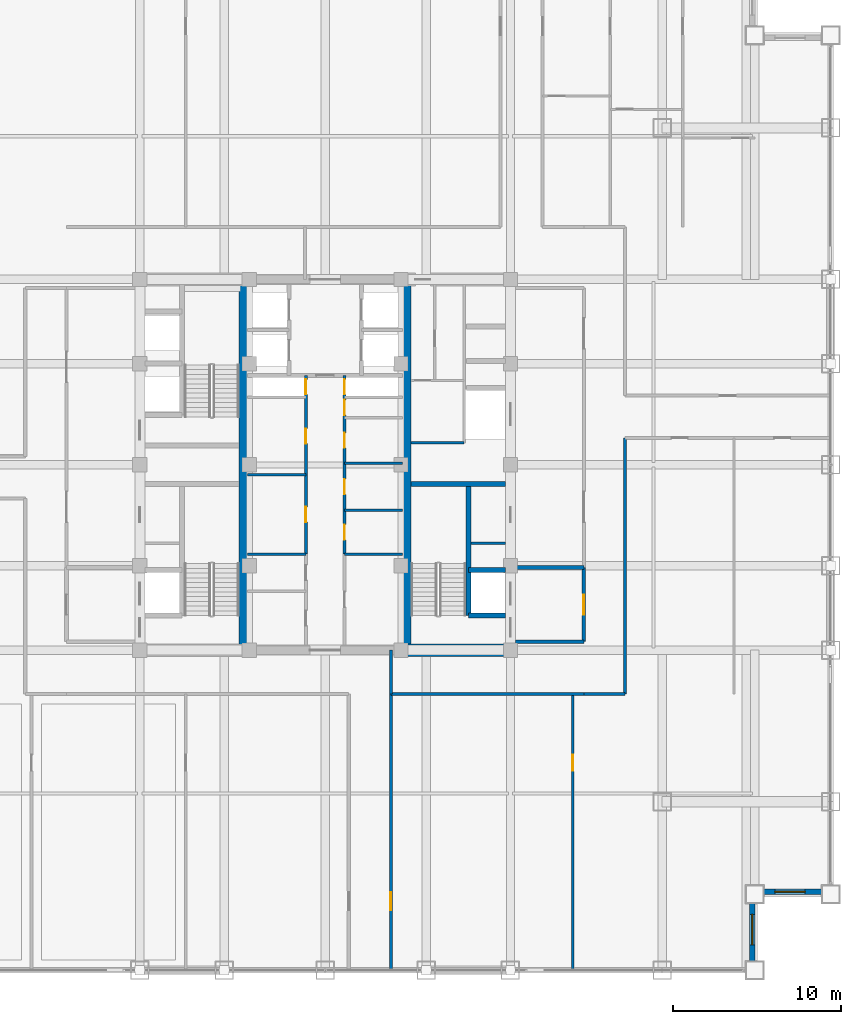
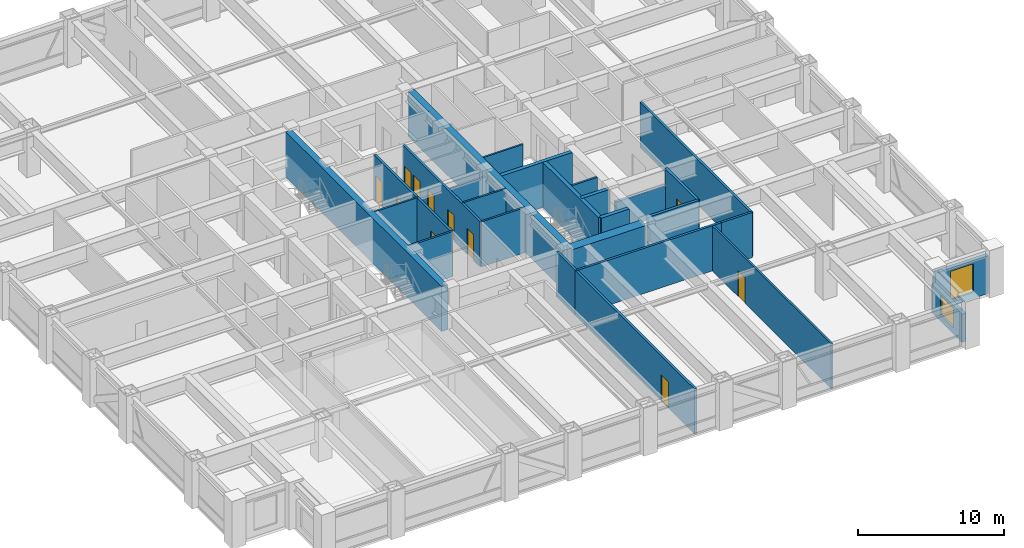
# One storey, part 21 of 26: 27 walls, 11 doors, 2 windows, 13 openings.
"""IFC4 building model written with IfcOpenShell, lengths in metres."""

from ifc_helpers import new_model, si_unit, direction, frame, frame_2d, origin, place, context, subcontext, project, spatial, rectangle, extrude, source, transform, mapped, material, layer, layer_set, type_object, element, fill, save


model = new_model("IFC4")

# Units and contexts
model_context = context("Model", 3, precision=1e-05, world=origin(), true_north=direction((0.0, 1.0)))
body_context = subcontext(model_context, "Body", "Model", "MODEL_VIEW")
ifc_project = project(units=[si_unit("LENGTHUNIT", "METRE"), si_unit("AREAUNIT", "SQUARE_METRE"), si_unit("VOLUMEUNIT", "CUBIC_METRE"), si_unit("PLANEANGLEUNIT", "RADIAN"), si_unit("MASSUNIT", "GRAM", prefix="KILO")], contexts=[model_context])

# Site, building, storey
site_placement = place(None, origin())
site = spatial("IfcSite", under=ifc_project, at=site_placement, CompositionType="ELEMENT")
building_placement = place(site_placement, origin())
building = spatial("IfcBuilding", under=site, at=building_placement, Name="Khorayat Bourse Tower", CompositionType="ELEMENT")
storey_placement = place(building_placement, frame((0.0, 0.0, 207.10009765625)))
storey = spatial("IfcBuildingStorey", under=building, at=storey_placement, Name="L48", CompositionType="ELEMENT", Elevation=207.10009765625)

# Walls
ifc_material_1 = material(Name="Concrete C52/65", Category="concrete")
ifc_layer_1 = layer(ifc_material_1, 0.5)
ifc_layer_set_1 = layer_set([ifc_layer_1], Name="Concrete C52/65")
wall_type_1 = type_object("IfcWallType", Name="WAL-CORE-500", PredefinedType="SHEAR", material=ifc_layer_set_1)
shared_shape_1 = source(origin(), body_context, "Body", "SweptSolid", [
    extrude(rectangle(XDim=21.39990234375, YDim=0.5, at=frame_2d((10.699951171875, 0.0))), origin(), (0.0, 0.0, 1.0), 3.77978515625),
])
for number, where, z_axis, x_axis, name in (
    (1, (-4.85009765625, -10.699951171875, 0.0), (0.0, 0.0, 1.0), (0.0, 1.0, 0.0), "L48 Core Shear Wall PIER-W"),
    (2, (4.85009765625, -10.699951171875, 0.0), (0.0, 0.0, 1.0), (0.0, 1.0, 0.0), "L48 Core Shear Wall PIER-E"),
):
    element("IfcWall", number, at=place(storey_placement, frame(where, z_axis=z_axis, x_axis=x_axis)), inside=storey, type_object=wall_type_1, Name=name, PredefinedType="SHEAR", context=body_context, shape_type="MappedRepresentation", body=[
        mapped(shared_shape_1, transform((0.0, 0.0, 0.0), scale=1.0)),
    ])
ifc_material_2 = material(Name="Concrete C72/90", Category="concrete")
ifc_layer_2 = layer(ifc_material_2, 0.75)
ifc_layer_set_2 = layer_set([ifc_layer_2], Name="Concrete C72/90")
wall_type_2 = type_object("IfcWallType", Name="WAL-CORE-750", PredefinedType="SHEAR", material=ifc_layer_set_2)
shared_shape_2 = source(origin(), body_context, "Body", "SweptSolid", [
    extrude(rectangle(XDim=5.849853515625, YDim=0.75, at=frame_2d((2.9248046875, 0.0))), origin(), (0.0, 0.0, 1.0), 3.77978515625),
])
wall_1_placement = place(storey_placement, frame((4.85009765625, -11.0, 0.0), z_axis=(0.0, 0.0, 1.0), x_axis=(1.0, 0.0, 0.0)))
element("IfcWall", 3, at=wall_1_placement, inside=storey, type_object=wall_type_2, Name="L48 Core Shear Wall PIER-ES", PredefinedType="SHEAR", context=body_context, shape_type="MappedRepresentation", body=[
    mapped(shared_shape_2, transform((0.0, 0.0, 0.0), scale=1.0)),
])
ifc_material_3 = material(Name="Concrete C50/60", Category="concrete")
ifc_layer_3 = layer(ifc_material_3, 0.300048828125)
ifc_layer_set_3 = layer_set([ifc_layer_3], Name="Concrete C50/60")
wall_type_3 = type_object("IfcWallType", Name="WAL-SHAFT-300", PredefinedType="SHEAR", material=ifc_layer_set_3)
shared_shape_3 = source(origin(), body_context, "Body", "SweptSolid", [
    extrude(rectangle(XDim=5.599853515625, YDim=0.300048828125, at=frame_2d((2.7998046875, 0.0))), origin(), (0.0, 0.0, 1.0), 3.77978515625),
])
wall_2_placement = place(storey_placement, frame((5.10009765625, -1.14990234375, 0.0), z_axis=(0.0, 0.0, 1.0), x_axis=(1.0, 0.0, 0.0)))
element("IfcWall", 4, at=wall_2_placement, inside=storey, type_object=wall_type_3, Name="L48 Core Shear Wall ST3-DIV", PredefinedType="SHEAR", context=body_context, shape_type="MappedRepresentation", body=[
    mapped(shared_shape_3, transform((0.0, 0.0, 0.0), scale=1.0)),
])

# Wall, opening, window
ifc_material_4 = material(Name="Precast concrete C45/55", Category="concrete")
ifc_layer_4 = layer(ifc_material_4, 0.320068359375)
ifc_layer_set_4 = layer_set([ifc_layer_4], Name="Precast concrete C45/55")
wall_type_4 = type_object("IfcWallType", Name="WAL-EXT-STONE-320", PredefinedType="STANDARD", material=ifc_layer_set_4)
shared_shape_4 = source(origin(), body_context, "Body", "SweptSolid", [
    extrude(rectangle(XDim=4.179931640625, YDim=0.320068359375, at=frame_2d((2.08984375, 0.0))), origin(), (0.0, 0.0, 1.0), 3.163818359375),
])
wall_3_placement = place(storey_placement, frame((25.5, -25.340087890625, 0.0), z_axis=(0.0, 0.0, 1.0), x_axis=(1.0, 0.0, 0.0)))
wall_3 = element("IfcWall", 5, at=wall_3_placement, inside=storey, type_object=wall_type_4, Name="L48 Re-Entrant Notch Limestone Wall SE-H", PredefinedType="STANDARD", context=body_context, shape_type="MappedRepresentation", body=[
    mapped(shared_shape_4, transform((0.0, 0.0, 0.0), scale=1.0)),
])
shared_shape_5 = source(origin(), body_context, "Body", "SweptSolid", [
    extrude(rectangle(XDim=1.800048828125, YDim=2.39990234375, at=frame_2d((0.89990234375, 1.199951171875))), frame((0.0, 0.169921875, 0.0), z_axis=(0.0, -1.0, 0.0), x_axis=(1.0, 0.0, 0.0)), (0.0, 0.0, 1.0), 0.340087890625),
])
opening_1_placement = place(wall_3_placement, frame((1.18994140625, 0.0, 0.5)))
opening_1 = element("IfcOpeningElement", 6, at=opening_1_placement, cuts=wall_3, Name="Opening WN-04", PredefinedType="OPENING", context=body_context, shape_type="MappedRepresentation", body=[
    mapped(shared_shape_5, transform((0.0, 0.0, 0.0), scale=1.0)),
])
ifc_material_5 = material(Name="Low-E acoustic laminated double glazing", Category="glass")
window_type = type_object("IfcWindowType", Name="WIN-NOTCH-1800x2400", PartitioningType="SINGLE_PANEL", PredefinedType="WINDOW", material=ifc_material_5)
shared_shape_6 = source(origin(), body_context, "Body", "SweptSolid", [
    extrude(rectangle(XDim=1.800048828125, YDim=2.39990234375, at=frame_2d((0.89990234375, 1.199951171875))), frame((0.0, 0.030029296875, 0.0), z_axis=(0.0, -1.0, 0.0), x_axis=(1.0, 0.0, 0.0)), (0.0, 0.0, 1.0), 0.06005859375),
])
window_1_placement = place(opening_1_placement, origin())
window_1 = element("IfcWindow", 7, at=window_1_placement, inside=storey, type_object=window_type, Name="L48 Facade Window 1", OverallHeight=2.39990234375, OverallWidth=1.800048828125, PartitioningType="SINGLE_PANEL", PredefinedType="WINDOW", context=body_context, shape_type="MappedRepresentation", body=[
    mapped(shared_shape_6, transform((0.0, 0.0, 0.0), scale=1.0)),
])
fill(opening_1, window_1)

shared_shape_7 = source(origin(), body_context, "Body", "SweptSolid", [
    extrude(rectangle(XDim=4.179931640625, YDim=0.320068359375, at=frame_2d((2.08984375, 0.0))), origin(), (0.0, 0.0, 1.0), 2.3798828125),
])
wall_4_placement = place(storey_placement, frame((25.340087890625, -29.679931640625, 0.0), z_axis=(0.0, 0.0, 1.0), x_axis=(0.0, 1.0, 0.0)))
wall_4 = element("IfcWall", 8, at=wall_4_placement, inside=storey, type_object=wall_type_4, Name="L48 Re-Entrant Notch Limestone Wall SE-V", PredefinedType="STANDARD", context=body_context, shape_type="MappedRepresentation", body=[
    mapped(shared_shape_7, transform((0.0, 0.0, 0.0), scale=1.0)),
])
shared_shape_8 = source(origin(), body_context, "Body", "SweptSolid", [
    extrude(rectangle(XDim=1.800048828125, YDim=1.659912109375, at=frame_2d((0.89990234375, 0.830078125))), frame((0.0, 0.169921875, 0.0), z_axis=(0.0, -1.0, 0.0), x_axis=(1.0, 0.0, 0.0)), (0.0, 0.0, 1.0), 0.340087890625),
])
opening_2_placement = place(wall_4_placement, frame((1.18994140625, 0.0, 0.5)))
opening_2 = element("IfcOpeningElement", 9, at=opening_2_placement, cuts=wall_4, Name="Opening WN-04", PredefinedType="OPENING", context=body_context, shape_type="MappedRepresentation", body=[
    mapped(shared_shape_8, transform((0.0, 0.0, 0.0), scale=1.0)),
])
shared_shape_9 = source(origin(), body_context, "Body", "SweptSolid", [
    extrude(rectangle(XDim=1.800048828125, YDim=1.659912109375, at=frame_2d((0.89990234375, 0.830078125))), frame((0.0, 0.030029296875, 0.0), z_axis=(0.0, -1.0, 0.0), x_axis=(1.0, 0.0, 0.0)), (0.0, 0.0, 1.0), 0.06005859375),
])
window_2_placement = place(opening_2_placement, origin())
window_2 = element("IfcWindow", 10, at=window_2_placement, inside=storey, type_object=window_type, Name="L48 Facade Window 1", OverallHeight=1.659912109375, OverallWidth=1.800048828125, PartitioningType="SINGLE_PANEL", PredefinedType="WINDOW", context=body_context, shape_type="MappedRepresentation", body=[
    mapped(shared_shape_9, transform((0.0, 0.0, 0.0), scale=1.0)),
])
fill(opening_2, window_2)

# Walls
shared_shape_10 = source(origin(), body_context, "Body", "SweptSolid", [
    extrude(rectangle(XDim=7.800048828125, YDim=0.300048828125, at=frame_2d((3.89990234375, 0.0))), origin(), (0.0, 0.0, 1.0), 3.77978515625),
])
wall_5_placement = place(storey_placement, frame((8.5, -8.949951171875, 0.0), z_axis=(0.0, 0.0, 1.0), x_axis=(0.0, 1.0, 0.0)))
element("IfcWall", 11, at=wall_5_placement, inside=storey, type_object=wall_type_3, Name="L48 Partition WAL-L48-EPIER-SP", PredefinedType="SHEAR", context=body_context, shape_type="MappedRepresentation", body=[
    mapped(shared_shape_10, transform((0.0, 0.0, 0.0), scale=1.0)),
])
shared_shape_11 = source(origin(), body_context, "Body", "SweptSolid", [
    extrude(rectangle(XDim=2.199951171875, YDim=0.300048828125, at=frame_2d((1.10009765625, 0.0))), origin(), (0.0, 0.0, 1.0), 3.77978515625),
])
for number, where, z_axis, x_axis, name in (
    (12, (8.5, -8.949951171875, 0.0), (0.0, 0.0, 1.0), (1.0, 0.0, 0.0), "L48 Partition WAL-L48-EPIER-FF2S"),
    (13, (8.5, -6.25, 0.0), (0.0, 0.0, 1.0), (1.0, 0.0, 0.0), "L48 Partition WAL-L48-EPIER-FF2N"),
):
    element("IfcWall", number, at=place(storey_placement, frame(where, z_axis=z_axis, x_axis=x_axis)), inside=storey, type_object=wall_type_3, Name=name, PredefinedType="SHEAR", context=body_context, shape_type="MappedRepresentation", body=[
        mapped(shared_shape_11, transform((0.0, 0.0, 0.0), scale=1.0)),
    ])
ifc_material_6 = material(Name="Gypsum plasterboard twin-frame partition")
ifc_layer_5 = layer(ifc_material_6, 0.14990234375)
ifc_layer_set_5 = layer_set([ifc_layer_5], Name="Gypsum plasterboard twin-frame partition")
wall_type_5 = type_object("IfcWallType", Name="WAL-PART-SUITE-150", PredefinedType="PARTITIONING", material=ifc_layer_set_5)
shared_shape_12 = source(origin(), body_context, "Body", "SweptSolid", [
    extrude(rectangle(XDim=2.050048828125, YDim=0.14990234375, at=frame_2d((1.02490234375, 0.0))), origin(), (0.0, 0.0, 1.0), 3.77978515625),
])
wall_6_placement = place(storey_placement, frame((8.64990234375, -4.64990234375, 0.0), z_axis=(0.0, 0.0, 1.0), x_axis=(1.0, 0.0, 0.0)))
element("IfcWall", 14, at=wall_6_placement, inside=storey, type_object=wall_type_5, Name="L48 Partition WAL-L48-ESRV-S0", PredefinedType="PARTITIONING", context=body_context, shape_type="MappedRepresentation", body=[
    mapped(shared_shape_12, transform((0.0, 0.0, 0.0), scale=1.0)),
])
ifc_material_7 = material(Name="Moisture-resistant masonry partition", Category="masonry")
ifc_layer_6 = layer(ifc_material_7, 0.139892578125)
ifc_layer_set_6 = layer_set([ifc_layer_6], Name="Moisture-resistant masonry partition")
wall_type_6 = type_object("IfcWallType", Name="WAL-PART-WET-140", PredefinedType="PARTITIONING", material=ifc_layer_set_6)
shared_shape_13 = source(origin(), body_context, "Body", "SweptSolid", [
    extrude(rectangle(XDim=3.14990234375, YDim=0.139892578125, at=frame_2d((1.574951171875, 0.0))), origin(), (0.0, 0.0, 1.0), 3.77978515625),
])
wall_7_placement = place(storey_placement, frame((5.10009765625, 1.300048828125, 0.0), z_axis=(0.0, 0.0, 1.0), x_axis=(1.0, 0.0, 0.0)))
element("IfcWall", 15, at=wall_7_placement, inside=storey, type_object=wall_type_6, Name="L48 Partition WAL-L48-ECORE-S", PredefinedType="PARTITIONING", context=body_context, shape_type="MappedRepresentation", body=[
    mapped(shared_shape_13, transform((0.0, 0.0, 0.0), scale=1.0)),
])
ifc_material_8 = material(Name="Aerated concrete blockwork", Category="masonry")
ifc_layer_7 = layer(ifc_material_8, 0.219970703125)
ifc_layer_set_7 = layer_set([ifc_layer_7], Name="Aerated concrete blockwork")
wall_type_7 = type_object("IfcWallType", Name="WAL-PART-FF-220", PredefinedType="PARTITIONING", material=ifc_layer_set_7)
shared_shape_14 = source(origin(), body_context, "Body", "SweptSolid", [
    extrude(rectangle(XDim=4.050048828125, YDim=0.219970703125, at=frame_2d((2.02490234375, 0.0))), origin(), (0.0, 0.0, 1.0), 3.77978515625),
])
wall_8_placement = place(storey_placement, frame((11.300048828125, -10.5, 0.0), z_axis=(0.0, 0.0, 1.0), x_axis=(1.0, 0.0, 0.0)))
element("IfcWall", 16, at=wall_8_placement, inside=storey, type_object=wall_type_7, Name="L48 Partition WAL-L48-FFLE-S", PredefinedType="PARTITIONING", context=body_context, shape_type="MappedRepresentation", body=[
    mapped(shared_shape_14, transform((0.0, 0.0, 0.0), scale=1.0)),
])

# Wall, opening, door
shared_shape_15 = source(origin(), body_context, "Body", "SweptSolid", [
    extrude(rectangle(XDim=4.39990234375, YDim=0.219970703125, at=frame_2d((2.199951171875, 0.0))), origin(), (0.0, 0.0, 1.0), 3.77978515625),
])
wall_9_placement = place(storey_placement, frame((15.35009765625, -10.5, 0.0), z_axis=(0.0, 0.0, 1.0), x_axis=(0.0, 1.0, 0.0)))
wall_9 = element("IfcWall", 17, at=wall_9_placement, inside=storey, type_object=wall_type_7, Name="L48 Partition WAL-L48-FFLE-E", PredefinedType="PARTITIONING", context=body_context, shape_type="MappedRepresentation", body=[
    mapped(shared_shape_15, transform((0.0, 0.0, 0.0), scale=1.0)),
])
shared_shape_16 = source(origin(), body_context, "Body", "SweptSolid", [
    extrude(rectangle(XDim=1.199951171875, YDim=2.199951171875, at=frame_2d((0.60009765625, 1.10009765625))), frame((0.0, 0.119873046875, 0.0), z_axis=(0.0, -1.0, 0.0), x_axis=(1.0, 0.0, 0.0)), (0.0, 0.0, 1.0), 0.239990234375),
])
opening_3_placement = place(wall_9_placement, frame((1.60009765625, 0.0, 0.0)))
opening_3 = element("IfcOpeningElement", 18, at=opening_3_placement, cuts=wall_9, Name="Opening DI-02", PredefinedType="OPENING", context=body_context, shape_type="MappedRepresentation", body=[
    mapped(shared_shape_16, transform((0.0, 0.0, 0.0), scale=1.0)),
])
ifc_material_9 = material(Name="Fire-rated steel double-seal leaf", Category="steel")
door_type_1 = type_object("IfcDoorType", Name="DR-INT-FFLOBBY-1200", OperationType="NOTDEFINED", PredefinedType="DOOR", material=ifc_material_9)
shared_shape_17 = source(origin(), body_context, "Body", "SweptSolid", [
    extrude(rectangle(XDim=1.199951171875, YDim=2.199951171875, at=frame_2d((0.60009765625, 1.10009765625))), frame((0.0, 0.02490234375, 0.0), z_axis=(0.0, -1.0, 0.0), x_axis=(1.0, 0.0, 0.0)), (0.0, 0.0, 1.0), 0.050048828125),
])
door_1_placement = place(opening_3_placement, origin())
door_1 = element("IfcDoor", 19, at=door_1_placement, inside=storey, type_object=door_type_1, Name="L48 East Firefighting Lobby Door", OperationType="SINGLE_SWING_RIGHT", OverallHeight=2.199951171875, OverallWidth=1.199951171875, PredefinedType="DOOR", context=body_context, shape_type="MappedRepresentation", body=[
    mapped(shared_shape_17, transform((0.0, 0.0, 0.0), scale=1.0)),
])
fill(opening_3, door_1)

# Walls
shared_shape_18 = source(origin(), body_context, "Body", "SweptSolid", [
    extrude(rectangle(XDim=3.4501953125, YDim=0.14990234375, at=frame_2d((1.72509765625, 0.0))), origin(), (0.0, 0.0, 1.0), 3.77978515625),
])
for number, where, z_axis, x_axis, name in (
    (20, (-4.60009765625, -5.300048828125, 0.0), (0.0, 0.0, 1.0), (1.0, 0.0, 0.0), "L48 Partition WAL-L48-FB1-NW"),
    (21, (1.14990234375, -5.300048828125, 0.0), (0.0, 0.0, 1.0), (1.0, 0.0, 0.0), "L48 Partition WAL-L48-FB1-NE"),
):
    element("IfcWall", number, at=place(storey_placement, frame(where, z_axis=z_axis, x_axis=x_axis)), inside=storey, type_object=wall_type_5, Name=name, PredefinedType="PARTITIONING", context=body_context, shape_type="MappedRepresentation", body=[
        mapped(shared_shape_18, transform((0.0, 0.0, 0.0), scale=1.0)),
    ])
shared_shape_19 = source(origin(), body_context, "Body", "SweptSolid", [
    extrude(rectangle(XDim=3.4501953125, YDim=0.139892578125, at=frame_2d((1.72509765625, 0.0))), origin(), (0.0, 0.0, 1.0), 3.77978515625),
])
for number, where, z_axis, x_axis, name in (
    (22, (-4.60009765625, -0.60009765625, 0.0), (0.0, 0.0, 1.0), (1.0, 0.0, 0.0), "L48 Partition WAL-L48-CMW-D1"),
    (23, (1.14990234375, -2.699951171875, 0.0), (0.0, 0.0, 1.0), (1.0, 0.0, 0.0), "L48 Partition WAL-L48-CME-D1"),
):
    element("IfcWall", number, at=place(storey_placement, frame(where, z_axis=z_axis, x_axis=x_axis)), inside=storey, type_object=wall_type_6, Name=name, PredefinedType="PARTITIONING", context=body_context, shape_type="MappedRepresentation", body=[
        mapped(shared_shape_19, transform((0.0, 0.0, 0.0), scale=1.0)),
    ])
shared_shape_20 = source(origin(), body_context, "Body", "SweptSolid", [
    extrude(rectangle(XDim=3.4501953125, YDim=0.139892578125, at=frame_2d((1.72509765625, 0.0))), origin(), (0.0, 0.0, 1.0), 3.0849609375),
])
wall_10_placement = place(storey_placement, frame((1.14990234375, 0.10009765625, 0.0), z_axis=(0.0, 0.0, 1.0), x_axis=(1.0, 0.0, 0.0)))
element("IfcWall", 24, at=wall_10_placement, inside=storey, type_object=wall_type_6, Name="L48 Partition WAL-L48-CME-D2", PredefinedType="PARTITIONING", context=body_context, shape_type="MappedRepresentation", body=[
    mapped(shared_shape_20, transform((0.0, 0.0, 0.0), scale=1.0)),
])

# Wall, openings, doors
ifc_material_10 = material(Name="Gypsum plasterboard acoustic stud wall")
ifc_layer_8 = layer(ifc_material_10, 0.179931640625)
ifc_layer_set_8 = layer_set([ifc_layer_8], Name="Gypsum plasterboard acoustic stud wall")
wall_type_8 = type_object("IfcWallType", Name="WAL-PART-CORR-180", PredefinedType="PARTITIONING", material=ifc_layer_set_8)
shared_shape_21 = source(origin(), body_context, "Body", "SweptSolid", [
    extrude(rectangle(XDim=10.60009765625, YDim=0.179931640625, at=frame_2d((5.300048828125, 0.0))), origin(), (0.0, 0.0, 1.0), 3.77978515625),
])
wall_11_placement = place(storey_placement, frame((-1.14990234375, -5.300048828125, 0.0), z_axis=(0.0, 0.0, 1.0), x_axis=(0.0, 1.0, 0.0)))
wall_11 = element("IfcWall", 25, at=wall_11_placement, inside=storey, type_object=wall_type_8, Name="L48 Partition WAL-L48-CMW-L", PredefinedType="PARTITIONING", context=body_context, shape_type="MappedRepresentation", body=[
    mapped(shared_shape_21, transform((0.0, 0.0, 0.0), scale=1.0)),
])
shared_shape_22 = source(origin(), body_context, "Body", "SweptSolid", [
    extrude(rectangle(XDim=0.89990234375, YDim=2.14990234375, at=frame_2d((0.449951171875, 1.074951171875))), frame((0.0, 0.099853515625, 0.0), z_axis=(0.0, -1.0, 0.0), x_axis=(1.0, 0.0, 0.0)), (0.0, 0.0, 1.0), 0.199951171875),
])
opening_4_placement = place(wall_11_placement, frame((1.89990234375, 0.0, 0.0)))
opening_4 = element("IfcOpeningElement", 26, at=opening_4_placement, cuts=wall_11, Name="Opening DI-06", PredefinedType="OPENING", context=body_context, shape_type="MappedRepresentation", body=[
    mapped(shared_shape_22, transform((0.0, 0.0, 0.0), scale=1.0)),
])
opening_5_placement = place(wall_11_placement, frame((6.550048828125, 0.0, 0.0)))
opening_5 = element("IfcOpeningElement", 27, at=opening_5_placement, cuts=wall_11, Name="Opening DI-06", PredefinedType="OPENING", context=body_context, shape_type="MappedRepresentation", body=[
    mapped(shared_shape_22, transform((0.0, 0.0, 0.0), scale=1.0)),
])
opening_6_placement = place(wall_11_placement, frame((9.47509765625, 0.0, 0.0)))
opening_6 = element("IfcOpeningElement", 28, at=opening_6_placement, cuts=wall_11, Name="Opening DI-06", PredefinedType="OPENING", context=body_context, shape_type="MappedRepresentation", body=[
    mapped(shared_shape_22, transform((0.0, 0.0, 0.0), scale=1.0)),
])
ifc_material_11 = material(Name="Moisture-resistant laminate washroom door")
door_type_2 = type_object("IfcDoorType", Name="DR-INT-WC-900", OperationType="NOTDEFINED", PredefinedType="DOOR", material=ifc_material_11)
shared_shape_23 = source(origin(), body_context, "Body", "SweptSolid", [
    extrude(rectangle(XDim=0.89990234375, YDim=2.14990234375, at=frame_2d((0.449951171875, 1.074951171875))), frame((0.0, 0.02490234375, 0.0), z_axis=(0.0, -1.0, 0.0), x_axis=(1.0, 0.0, 0.0)), (0.0, 0.0, 1.0), 0.050048828125),
])
door_2_placement = place(opening_4_placement, origin())
door_2 = element("IfcDoor", 29, at=door_2_placement, inside=storey, type_object=door_type_2, Name="L48 Male Core Washroom Door", OperationType="SINGLE_SWING_RIGHT", OverallHeight=2.14990234375, OverallWidth=0.89990234375, PredefinedType="DOOR", context=body_context, shape_type="MappedRepresentation", body=[
    mapped(shared_shape_23, transform((0.0, 0.0, 0.0), scale=1.0)),
])
fill(opening_4, door_2)
door_3_placement = place(opening_5_placement, origin())
door_3 = element("IfcDoor", 30, at=door_3_placement, inside=storey, type_object=door_type_2, Name="L48 Chilled Water Riser Plant Room Door", OperationType="SINGLE_SWING_LEFT", OverallHeight=2.14990234375, OverallWidth=0.89990234375, PredefinedType="DOOR", context=body_context, shape_type="MappedRepresentation", body=[
    mapped(shared_shape_23, transform((0.0, 0.0, 0.0), scale=1.0)),
])
fill(opening_5, door_3)
door_4_placement = place(opening_6_placement, origin())
door_4 = element("IfcDoor", 31, at=door_4_placement, inside=storey, type_object=door_type_2, Name="L48 West Core Riser Door", OperationType="SINGLE_SWING_LEFT", OverallHeight=2.14990234375, OverallWidth=0.89990234375, PredefinedType="DOOR", context=body_context, shape_type="MappedRepresentation", body=[
    mapped(shared_shape_23, transform((0.0, 0.0, 0.0), scale=1.0)),
])
fill(opening_6, door_4)

wall_12_placement = place(storey_placement, frame((1.14990234375, -5.300048828125, 0.0), z_axis=(0.0, 0.0, 1.0), x_axis=(0.0, 1.0, 0.0)))
wall_12 = element("IfcWall", 32, at=wall_12_placement, inside=storey, type_object=wall_type_8, Name="L48 Partition WAL-L48-CME-L", PredefinedType="PARTITIONING", context=body_context, shape_type="MappedRepresentation", body=[
    mapped(shared_shape_21, transform((0.0, 0.0, 0.0), scale=1.0)),
])
opening_7_placement = place(wall_12_placement, frame((0.85009765625, 0.0, 0.0)))
opening_7 = element("IfcOpeningElement", 33, at=opening_7_placement, cuts=wall_12, Name="Opening DI-06", PredefinedType="OPENING", context=body_context, shape_type="MappedRepresentation", body=[
    mapped(shared_shape_22, transform((0.0, 0.0, 0.0), scale=1.0)),
])
opening_8_placement = place(wall_12_placement, frame((3.550048828125, 0.0, 0.0)))
opening_8 = element("IfcOpeningElement", 34, at=opening_8_placement, cuts=wall_12, Name="Opening DI-06", PredefinedType="OPENING", context=body_context, shape_type="MappedRepresentation", body=[
    mapped(shared_shape_22, transform((0.0, 0.0, 0.0), scale=1.0)),
])
opening_9_placement = place(wall_12_placement, frame((6.300048828125, 0.0, 0.0)))
opening_9 = element("IfcOpeningElement", 35, at=opening_9_placement, cuts=wall_12, Name="Opening DI-06", PredefinedType="OPENING", context=body_context, shape_type="MappedRepresentation", body=[
    mapped(shared_shape_22, transform((0.0, 0.0, 0.0), scale=1.0)),
])
opening_10_placement = place(wall_12_placement, frame((8.25, 0.0, 0.0)))
opening_10 = element("IfcOpeningElement", 36, at=opening_10_placement, cuts=wall_12, Name="Opening DI-06", PredefinedType="OPENING", context=body_context, shape_type="MappedRepresentation", body=[
    mapped(shared_shape_22, transform((0.0, 0.0, 0.0), scale=1.0)),
])
opening_11_placement = place(wall_12_placement, frame((9.47509765625, 0.0, 0.0)))
opening_11 = element("IfcOpeningElement", 37, at=opening_11_placement, cuts=wall_12, Name="Opening DI-06", PredefinedType="OPENING", context=body_context, shape_type="MappedRepresentation", body=[
    mapped(shared_shape_22, transform((0.0, 0.0, 0.0), scale=1.0)),
])
door_5_placement = place(opening_7_placement, origin())
door_5 = element("IfcDoor", 38, at=door_5_placement, inside=storey, type_object=door_type_2, Name="L48 Female Core Washroom Door", OperationType="SINGLE_SWING_RIGHT", OverallHeight=2.14990234375, OverallWidth=0.89990234375, PredefinedType="DOOR", context=body_context, shape_type="MappedRepresentation", body=[
    mapped(shared_shape_23, transform((0.0, 0.0, 0.0), scale=1.0)),
])
fill(opening_7, door_5)
door_6_placement = place(opening_8_placement, origin())
door_6 = element("IfcDoor", 39, at=door_6_placement, inside=storey, type_object=door_type_2, Name="L48 Comms Patch Room Door", OperationType="SINGLE_SWING_LEFT", OverallHeight=2.14990234375, OverallWidth=0.89990234375, PredefinedType="DOOR", context=body_context, shape_type="MappedRepresentation", body=[
    mapped(shared_shape_23, transform((0.0, 0.0, 0.0), scale=1.0)),
])
fill(opening_8, door_6)
door_7_placement = place(opening_9_placement, origin())
door_7 = element("IfcDoor", 40, at=door_7_placement, inside=storey, type_object=door_type_2, Name="L48 Janitor Cupboard Door", OperationType="SINGLE_SWING_RIGHT", OverallHeight=2.14990234375, OverallWidth=0.89990234375, PredefinedType="DOOR", context=body_context, shape_type="MappedRepresentation", body=[
    mapped(shared_shape_23, transform((0.0, 0.0, 0.0), scale=1.0)),
])
fill(opening_9, door_7)
door_8_placement = place(opening_10_placement, origin())
door_8 = element("IfcDoor", 41, at=door_8_placement, inside=storey, type_object=door_type_2, Name="L48 Fire Valve Plant Room Door", OperationType="SINGLE_SWING_LEFT", OverallHeight=2.14990234375, OverallWidth=0.89990234375, PredefinedType="DOOR", context=body_context, shape_type="MappedRepresentation", body=[
    mapped(shared_shape_23, transform((0.0, 0.0, 0.0), scale=1.0)),
])
fill(opening_10, door_8)
door_9_placement = place(opening_11_placement, origin())
door_9 = element("IfcDoor", 42, at=door_9_placement, inside=storey, type_object=door_type_2, Name="L48 East Core Riser Door", OperationType="SINGLE_SWING_RIGHT", OverallHeight=2.14990234375, OverallWidth=0.89990234375, PredefinedType="DOOR", context=body_context, shape_type="MappedRepresentation", body=[
    mapped(shared_shape_23, transform((0.0, 0.0, 0.0), scale=1.0)),
])
fill(opening_11, door_9)

# Walls
shared_shape_24 = source(origin(), body_context, "Body", "SweptSolid", [
    extrude(rectangle(XDim=2.449951171875, YDim=0.179931640625, at=frame_2d((1.22509765625, 0.0))), origin(), (0.0, 0.0, 1.0), 3.77978515625),
])
wall_13_placement = place(storey_placement, frame((15.35009765625, -13.60009765625, 0.0), z_axis=(0.0, 0.0, 1.0), x_axis=(1.0, 0.0, 0.0)))
element("IfcWall", 43, at=wall_13_placement, inside=storey, type_object=wall_type_8, Name="L48 Partition WAL-L48-C2-ES", PredefinedType="PARTITIONING", context=body_context, shape_type="MappedRepresentation", body=[
    mapped(shared_shape_24, transform((0.0, 0.0, 0.0), scale=1.0)),
])
shared_shape_25 = source(origin(), body_context, "Body", "SweptSolid", [
    extrude(rectangle(XDim=11.4501953125, YDim=0.179931640625, at=frame_2d((5.72509765625, 0.0))), origin(), (0.0, 0.0, 1.0), 3.77978515625),
])
wall_14_placement = place(storey_placement, frame((3.89990234375, -13.60009765625, 0.0), z_axis=(0.0, 0.0, 1.0), x_axis=(1.0, 0.0, 0.0)))
element("IfcWall", 44, at=wall_14_placement, inside=storey, type_object=wall_type_8, Name="L48 Partition WAL-L48-QSE-HC", PredefinedType="PARTITIONING", context=body_context, shape_type="MappedRepresentation", body=[
    mapped(shared_shape_25, transform((0.0, 0.0, 0.0), scale=1.0)),
])
shared_shape_26 = source(origin(), body_context, "Body", "SweptSolid", [
    extrude(rectangle(XDim=2.60009765625, YDim=0.179931640625, at=frame_2d((1.300048828125, 0.0))), origin(), (0.0, 0.0, 1.0), 3.77978515625),
])
wall_15_placement = place(storey_placement, frame((3.89990234375, -13.60009765625, 0.0), z_axis=(0.0, 0.0, 1.0), x_axis=(0.0, 1.0, 0.0)))
element("IfcWall", 45, at=wall_15_placement, inside=storey, type_object=wall_type_8, Name="L48 Partition WAL-L48-C2-SCE", PredefinedType="PARTITIONING", context=body_context, shape_type="MappedRepresentation", body=[
    mapped(shared_shape_26, transform((0.0, 0.0, 0.0), scale=1.0)),
])

# Wall, opening, door
shared_shape_27 = source(origin(), body_context, "Body", "SweptSolid", [
    extrude(rectangle(XDim=16.39990234375, YDim=0.14990234375, at=frame_2d((8.199951171875, 0.0))), origin(), (0.0, 0.0, 1.0), 3.77978515625),
])
wall_16_placement = place(storey_placement, frame((14.699951171875, -30.0, 0.0), z_axis=(0.0, 0.0, 1.0), x_axis=(0.0, 1.0, 0.0)))
wall_16 = element("IfcWall", 46, at=wall_16_placement, inside=storey, type_object=wall_type_5, Name="L48 Partition WAL-L48-QSEDV-1", PredefinedType="PARTITIONING", context=body_context, shape_type="MappedRepresentation", body=[
    mapped(shared_shape_27, transform((0.0, 0.0, 0.0), scale=1.0)),
])
shared_shape_28 = source(origin(), body_context, "Body", "SweptSolid", [
    extrude(rectangle(XDim=0.949951171875, YDim=2.14990234375, at=frame_2d((0.47509765625, 1.074951171875))), frame((0.0, 0.0849609375, 0.0), z_axis=(0.0, -1.0, 0.0), x_axis=(1.0, 0.0, 0.0)), (0.0, 0.0, 1.0), 0.169921875),
])
opening_12_placement = place(wall_16_placement, frame((11.824951171875, 0.0, 0.0)))
opening_12 = element("IfcOpeningElement", 47, at=opening_12_placement, cuts=wall_16, Name="Opening DI-05", PredefinedType="OPENING", context=body_context, shape_type="MappedRepresentation", body=[
    mapped(shared_shape_28, transform((0.0, 0.0, 0.0), scale=1.0)),
])
ifc_material_12 = material(Name="Acoustic oak veneer office door")
door_type_3 = type_object("IfcDoorType", Name="DR-INT-OFFICE-950", OperationType="NOTDEFINED", PredefinedType="DOOR", material=ifc_material_12)
shared_shape_29 = source(origin(), body_context, "Body", "SweptSolid", [
    extrude(rectangle(XDim=0.949951171875, YDim=2.14990234375, at=frame_2d((0.47509765625, 1.074951171875))), frame((0.0, 0.02490234375, 0.0), z_axis=(0.0, -1.0, 0.0), x_axis=(1.0, 0.0, 0.0)), (0.0, 0.0, 1.0), 0.050048828125),
])
door_10_placement = place(opening_12_placement, origin())
door_10 = element("IfcDoor", 48, at=door_10_placement, inside=storey, type_object=door_type_3, Name="L48 South-East Suite Link 1", OperationType="SINGLE_SWING_RIGHT", OverallHeight=2.14990234375, OverallWidth=0.949951171875, PredefinedType="DOOR", context=body_context, shape_type="MappedRepresentation", body=[
    mapped(shared_shape_29, transform((0.0, 0.0, 0.0), scale=1.0)),
])
fill(opening_12, door_10)

shared_shape_30 = source(origin(), body_context, "Body", "SweptSolid", [
    extrude(rectangle(XDim=16.39990234375, YDim=0.179931640625, at=frame_2d((8.199951171875, 0.0))), origin(), (0.0, 0.0, 1.0), 3.77978515625),
])
wall_17_placement = place(storey_placement, frame((3.89990234375, -30.0, 0.0), z_axis=(0.0, 0.0, 1.0), x_axis=(0.0, 1.0, 0.0)))
wall_17 = element("IfcWall", 49, at=wall_17_placement, inside=storey, type_object=wall_type_8, Name="L48 Partition WAL-L48-QSE-SPK", PredefinedType="PARTITIONING", context=body_context, shape_type="MappedRepresentation", body=[
    mapped(shared_shape_30, transform((0.0, 0.0, 0.0), scale=1.0)),
])
shared_shape_31 = source(origin(), body_context, "Body", "SweptSolid", [
    extrude(rectangle(XDim=1.050048828125, YDim=2.199951171875, at=frame_2d((0.52490234375, 1.10009765625))), frame((0.0, 0.099853515625, 0.0), z_axis=(0.0, -1.0, 0.0), x_axis=(1.0, 0.0, 0.0)), (0.0, 0.0, 1.0), 0.199951171875),
])
opening_13_placement = place(wall_17_placement, frame((3.574951171875, 0.0, 0.0)))
opening_13 = element("IfcOpeningElement", 50, at=opening_13_placement, cuts=wall_17, Name="Opening DI-04", PredefinedType="OPENING", context=body_context, shape_type="MappedRepresentation", body=[
    mapped(shared_shape_31, transform((0.0, 0.0, 0.0), scale=1.0)),
])
ifc_material_13 = material(Name="Fire-rated oak veneer suite entrance door")
door_type_4 = type_object("IfcDoorType", Name="DR-INT-SUITE-1050", OperationType="NOTDEFINED", PredefinedType="DOOR", material=ifc_material_13)
shared_shape_32 = source(origin(), body_context, "Body", "SweptSolid", [
    extrude(rectangle(XDim=1.050048828125, YDim=2.199951171875, at=frame_2d((0.52490234375, 1.10009765625))), frame((0.0, 0.02490234375, 0.0), z_axis=(0.0, -1.0, 0.0), x_axis=(1.0, 0.0, 0.0)), (0.0, 0.0, 1.0), 0.050048828125),
])
door_11_placement = place(opening_13_placement, origin())
door_11 = element("IfcDoor", 51, at=door_11_placement, inside=storey, type_object=door_type_4, Name="L48 South-East Radial Spoke Entry", OperationType="SINGLE_SWING_LEFT", OverallHeight=2.199951171875, OverallWidth=1.050048828125, PredefinedType="DOOR", context=body_context, shape_type="MappedRepresentation", body=[
    mapped(shared_shape_32, transform((0.0, 0.0, 0.0), scale=1.0)),
])
fill(opening_13, door_11)

# Walls
shared_shape_33 = source(origin(), body_context, "Body", "SweptSolid", [
    extrude(rectangle(XDim=15.2001953125, YDim=0.179931640625, at=frame_2d((7.60009765625, 0.0))), origin(), (0.0, 0.0, 1.0), 3.77978515625),
])
wall_18_placement = place(storey_placement, frame((17.800048828125, -13.60009765625, 0.0), z_axis=(0.0, 0.0, 1.0), x_axis=(0.0, 1.0, 0.0)))
element("IfcWall", 52, at=wall_18_placement, inside=storey, type_object=wall_type_8, Name="L48 Partition WAL-L48-ES-IN", PredefinedType="PARTITIONING", context=body_context, shape_type="MappedRepresentation", body=[
    mapped(shared_shape_33, transform((0.0, 0.0, 0.0), scale=1.0)),
])
shared_shape_34 = source(origin(), body_context, "Body", "SweptSolid", [
    extrude(rectangle(XDim=4.050048828125, YDim=0.219970703125, at=frame_2d((2.02490234375, 0.0))), origin(), (0.0, 0.0, 1.0), 2.3798828125),
])
wall_19_placement = place(storey_placement, frame((11.300048828125, -6.10009765625, 0.0), z_axis=(0.0, 0.0, 1.0), x_axis=(1.0, 0.0, 0.0)))
element("IfcWall", 53, at=wall_19_placement, inside=storey, type_object=wall_type_7, Name="L48 Partition WAL-L48-FFLE-N", PredefinedType="PARTITIONING", context=body_context, shape_type="MappedRepresentation", body=[
    mapped(shared_shape_34, transform((0.0, 0.0, 0.0), scale=1.0)),
])

save(model, "model.ifc")
